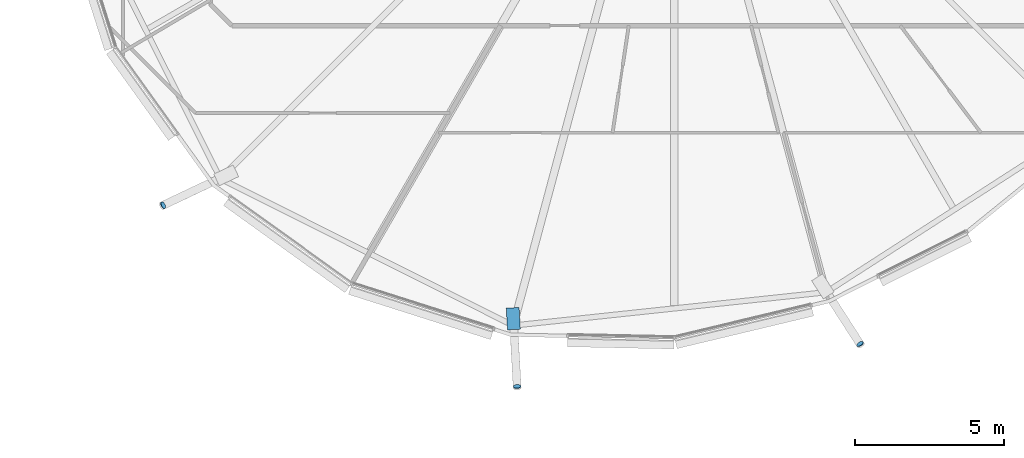
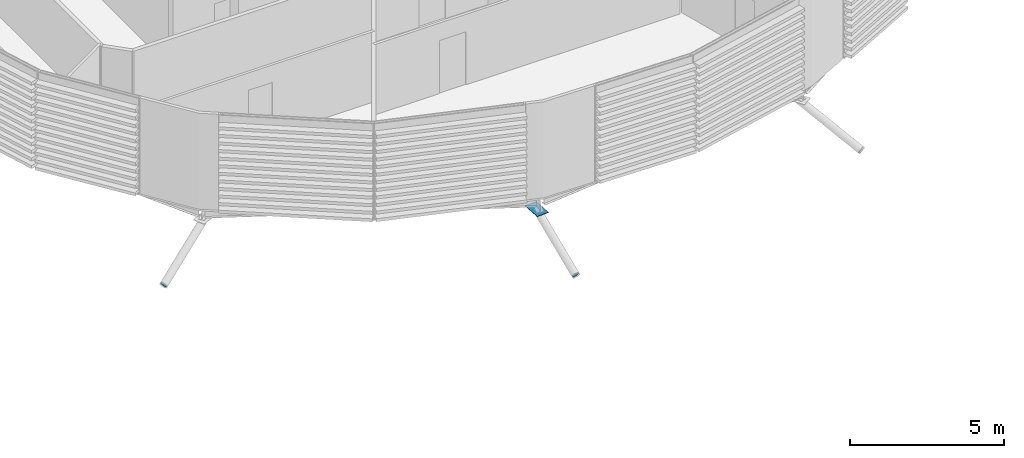
# One storey, part 30 of 38: 4 discrete accessories.
"""IFC4 building model written with IfcOpenShell, lengths in metres."""

from ifc_helpers import new_model, si_unit, direction, frame, origin, origin_2d, place, context, subcontext, project, spatial, polyline, rectangle, circle, outline, extrude, material, material_profile, profile_set, type_object, element, save


model = new_model("IFC4")

# Units and contexts
model_context = context("Model", 3, precision=1e-05, world=origin(), true_north=direction((0.0, 1.0)))
body_context = subcontext(model_context, "Body", "Model", "MODEL_VIEW")
ifc_project = project(units=[si_unit("LENGTHUNIT", "METRE"), si_unit("AREAUNIT", "SQUARE_METRE"), si_unit("VOLUMEUNIT", "CUBIC_METRE"), si_unit("PLANEANGLEUNIT", "RADIAN"), si_unit("MASSUNIT", "GRAM", prefix="KILO")], contexts=[model_context])

# Site, building, storey
site_placement = place(None, origin())
site = spatial("IfcSite", under=ifc_project, at=site_placement, CompositionType="ELEMENT")
building_placement = place(site_placement, origin())
building = spatial("IfcBuilding", under=site, at=building_placement, Name="Rimbun Link Towers", CompositionType="ELEMENT")
storey_placement = place(building_placement, frame((0.0, 0.0, 185.5)))
storey = spatial("IfcBuildingStorey", under=building, at=storey_placement, Name="L45", CompositionType="ELEMENT", Elevation=185.5)

# Discrete accessories
ifc_material_1 = material(Name="Steel S355J2H", Category="steel")
ifc_material_profile_1 = material_profile(ifc_material_1, circle(Radius=0.1240234375, at=origin_2d()), Name="PL D248")
ifc_profile_set_1 = profile_set([ifc_material_profile_1], Name="Steel S355J2H")
discrete_accessory_type_1 = type_object("IfcDiscreteAccessoryType", Name="Link foot sealing plate D248X20", PredefinedType="BRACKET", material=ifc_profile_set_1)
for number, where, z_axis, x_axis, name in (
    (1, (14.595458984375, -16.126953125, -2.015869140625), (-0.78905346079, -0.376317804377, -0.485571360486), (0.430472524882, -0.902603681203, 0.0), "Link foot sealing plate T2 L45 12"),
    (2, (26.4765625, -22.209716796875, -2.091064453125), (0.048791373472, -0.878244722495, -0.475715891351), (0.998460353205, 0.055470019623, 0.0), "Link foot sealing plate T2 L45 14"),
):
    element("IfcDiscreteAccessory", number, at=place(storey_placement, frame(where, z_axis=z_axis, x_axis=x_axis)), inside=storey, type_object=discrete_accessory_type_1, Name=name, PredefinedType="BRACKET", context=body_context, shape_type="SweptSolid", body=[
        extrude(circle(Radius=0.1240234375, at=origin_2d()), origin(), (0.0, 0.0, 1.0), 0.02001953125),
    ])
discrete_accessory_1_placement = place(storey_placement, frame((37.987548828125, -20.7822265625, -2.04736328125), z_axis=(0.478536612991, -0.736210173832, -0.478536612991), x_axis=(0.838443616301, 0.544988350595, 0.0)))
element("IfcDiscreteAccessory", 3, at=discrete_accessory_1_placement, inside=storey, type_object=discrete_accessory_type_1, Name="Link foot sealing plate T2 L45 16", PredefinedType="BRACKET", context=body_context, shape_type="SweptSolid", body=[
    extrude(circle(Radius=0.1240234375, at=origin_2d()), origin(), (0.0, 0.0, 1.0), 0.019775390625),
])
ifc_material_2 = material(Name="Steel S355J2H", Category="steel")
ifc_material_profile_2 = material_profile(ifc_material_2, rectangle(XDim=0.43310546875, YDim=0.43310546875, at=origin_2d()), Name="PL 433x433")
ifc_profile_set_2 = profile_set([ifc_material_profile_2], Name="Steel S355J2H")
discrete_accessory_type_2 = type_object("IfcDiscreteAccessoryType", Name="Link head end plate 433X20", PredefinedType="BRACKET", material=ifc_profile_set_2)
discrete_accessory_2_placement = place(storey_placement, frame((0.0, 0.0, -0.853515625)))
element("IfcDiscreteAccessory", 4, at=discrete_accessory_2_placement, inside=storey, type_object=discrete_accessory_type_2, Name="Link head end plate T2 L45 14", PredefinedType="BRACKET", context=body_context, shape_type="SweptSolid", body=[
    extrude(outline(polyline([(26.111083984375, -19.586669921875), (26.152587890625, -20.316650390625), (26.584716796875, -20.292236328125), (26.543701171875, -19.562255859375), (26.111083984375, -19.586669921875)])), origin(), (0.0, 0.0, 1.0), 0.02001953125),
])

save(model, "model.ifc")
